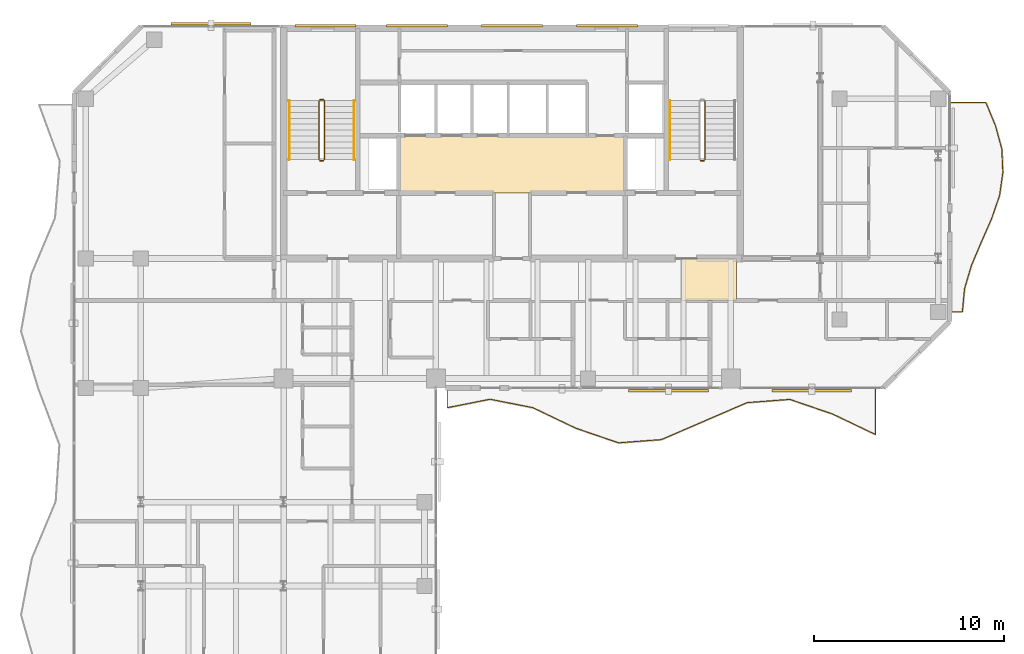
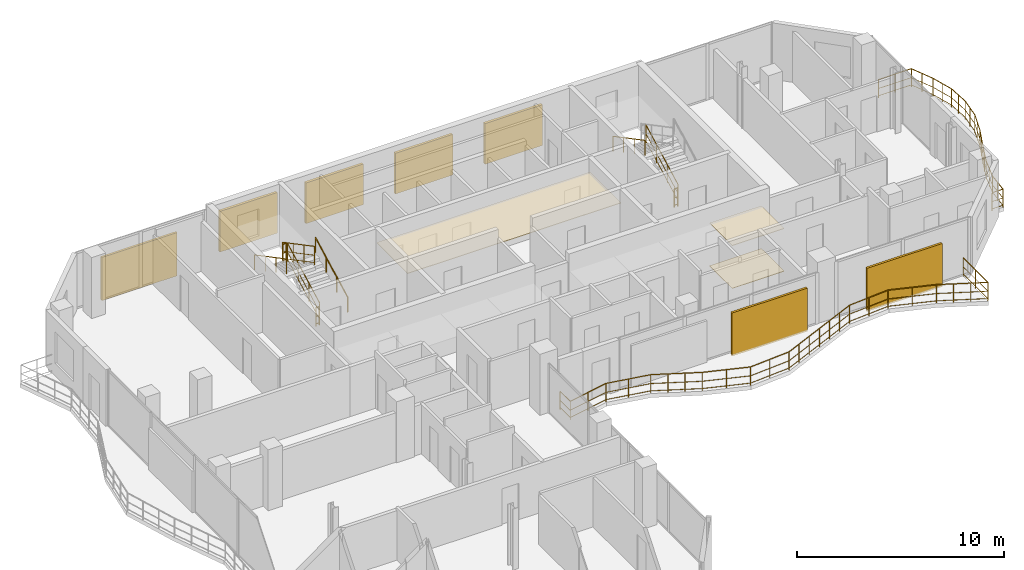
# One storey, part 22 of 23: 11 railings, 7 shading devices, 3 coverings.
"""IFC4 building model written with IfcOpenShell, lengths in metres."""

from ifc_helpers import new_model, si_unit, direction, frame, origin, origin_2d, place, context, subcontext, project, spatial, polyline, rectangle, circle, outline, extrude, material, layer, layer_set, type_object, element, save


model = new_model("IFC4")

# Units and contexts
model_context = context("Model", 3, precision=1e-05, world=origin(), true_north=direction((0.0, 1.0)))
body_context = subcontext(model_context, "Body", "Model", "MODEL_VIEW")
ifc_project = project(units=[si_unit("LENGTHUNIT", "METRE"), si_unit("AREAUNIT", "SQUARE_METRE"), si_unit("VOLUMEUNIT", "CUBIC_METRE"), si_unit("PLANEANGLEUNIT", "RADIAN"), si_unit("MASSUNIT", "GRAM", prefix="KILO")], contexts=[model_context])

# Site, building, storey
site_placement = place(None, origin())
site = spatial("IfcSite", under=ifc_project, at=site_placement, CompositionType="ELEMENT")
building_placement = place(site_placement, origin())
building = spatial("IfcBuilding", under=site, at=building_placement, Name="Catumbela Crestline Tower", CompositionType="ELEMENT")
storey_placement = place(building_placement, frame((0.0, 0.0, 175.8)))
storey = spatial("IfcBuildingStorey", under=building, at=storey_placement, Name="L45", CompositionType="ELEMENT", Elevation=175.8)

# Coverings
ifc_material_1 = material(Name="Mineral-fibre acoustic ceiling")
ifc_layer_1 = layer(ifc_material_1, 0.03, Name="Mineral-fibre acoustic ceiling")
ifc_layer_set_1 = layer_set([ifc_layer_1], Name="Mineral-fibre acoustic ceiling")
covering_type_1 = type_object("IfcCoveringType", Name="CC-AC", PredefinedType="CEILING", material=ifc_layer_set_1)
covering_1_placement = place(storey_placement, frame((0.0, 0.0, 2.65)))
element("IfcCovering", 1, at=covering_1_placement, inside=storey, type_object=covering_type_1, Name="L45 Lift Lobby Acoustic Ceiling", PredefinedType="CEILING", context=body_context, shape_type="SweptSolid", body=[
    extrude(outline(polyline([(22.05, 34.25), (33.95, 34.25), (33.95, 37.25), (22.05, 37.25), (22.05, 34.25)])), origin(), (0.0, 0.0, 1.0), 0.03),
])
covering_2_placement = place(storey_placement, frame((0.0, 0.0, 2.52)))
element("IfcCovering", 2, at=covering_2_placement, inside=storey, type_object=covering_type_1, Name="L45 Corridor Acoustic Ceiling Bay 8", PredefinedType="CEILING", context=body_context, shape_type="SweptSolid", body=[
    extrude(outline(polyline([(36.9, 28.6), (39.8, 28.6), (39.8, 30.8), (36.9, 30.8), (36.9, 28.6)])), origin(), (0.0, 0.0, 1.0), 0.03),
])
ifc_material_2 = material(Name="Angolan grey-ochre granite", Category="masonry")
ifc_layer_2 = layer(ifc_material_2, 0.025, Name="Angolan grey-ochre granite")
ifc_layer_set_2 = layer_set([ifc_layer_2], Name="Angolan grey-ochre granite")
covering_type_2 = type_object("IfcCoveringType", Name="CF-GR", PredefinedType="FLOORING", material=ifc_layer_set_2)
covering_3_placement = place(storey_placement, origin())
element("IfcCovering", 3, at=covering_3_placement, inside=storey, type_object=covering_type_2, Name="L45 Corridor Granite Flooring Bay 8", PredefinedType="FLOORING", context=body_context, shape_type="SweptSolid", body=[
    extrude(outline(polyline([(36.9, 28.6), (39.8, 28.6), (39.8, 30.8), (36.9, 30.8), (36.9, 28.6)])), origin(), (0.0, 0.0, 1.0), 0.025),
])

# Railings
ifc_material_3 = material(Name="Stainless steel EN 1.4401", Category="steel")
railing_type_1 = type_object("IfcRailingType", Name="RB-1100", PredefinedType="BALUSTRADE", material=ifc_material_3)
railing_1_placement = place(storey_placement, frame((24.6, 23.94, 0.0)))
element("IfcRailing", 4, at=railing_1_placement, inside=storey, type_object=railing_type_1, Name="L45 Private Wave Balcony Balustrade 1", PredefinedType="BALUSTRADE", context=body_context, shape_type="SweptSolid", body=[
    extrude(circle(Radius=0.024, at=origin_2d()), frame((0.0, 0.0, 1.076), z_axis=(0.0, -1.0, 0.0), x_axis=(1.0, 0.0, 0.0)), (0.0, 0.0, 1.0), 0.9747),
    extrude(circle(Radius=0.0156, at=origin_2d()), frame((0.0, 0.0, 0.55), z_axis=(0.0, -1.0, 0.0), x_axis=(1.0, 0.0, 0.0)), (0.0, 0.0, 1.0), 0.9747),
    extrude(circle(Radius=0.0156, at=origin_2d()), frame((0.0, 0.0, 0.12), z_axis=(0.0, -1.0, 0.0), x_axis=(1.0, 0.0, 0.0)), (0.0, 0.0, 1.0), 0.9747),
    extrude(circle(Radius=0.024, at=origin_2d()), frame((0.0, -0.9747, 1.076), z_axis=(0.981022553047, 0.193893657484, 0.0), x_axis=(-0.193893657484, 0.981022553047, 0.0)), (0.0, 0.0, 1.0), 2.2935),
    extrude(circle(Radius=0.0156, at=origin_2d()), frame((0.0, -0.9747, 0.55), z_axis=(0.981022553047, 0.193893657484, 0.0), x_axis=(-0.193893657484, 0.981022553047, 0.0)), (0.0, 0.0, 1.0), 2.2935),
    extrude(circle(Radius=0.0156, at=origin_2d()), frame((0.0, -0.9747, 0.12), z_axis=(0.981022553047, 0.193893657484, 0.0), x_axis=(-0.193893657484, 0.981022553047, 0.0)), (0.0, 0.0, 1.0), 2.2935),
    extrude(circle(Radius=0.024, at=origin_2d()), frame((2.25, -0.53, 1.076), z_axis=(0.981022553047, -0.193893657484, 0.0), x_axis=(0.193893657484, 0.981022553047, 0.0)), (0.0, 0.0, 1.0), 2.2935),
    extrude(circle(Radius=0.0156, at=origin_2d()), frame((2.25, -0.53, 0.55), z_axis=(0.981022553047, -0.193893657484, 0.0), x_axis=(0.193893657484, 0.981022553047, 0.0)), (0.0, 0.0, 1.0), 2.2935),
    extrude(circle(Radius=0.0156, at=origin_2d()), frame((2.25, -0.53, 0.12), z_axis=(0.981022553047, -0.193893657484, 0.0), x_axis=(0.193893657484, 0.981022553047, 0.0)), (0.0, 0.0, 1.0), 2.2935),
    extrude(circle(Radius=0.024, at=origin_2d()), frame((4.5, -0.9747, 1.076), z_axis=(0.902132186045, -0.431459753513, 0.0), x_axis=(0.431459753513, 0.902132186045, 0.0)), (0.0, 0.0, 1.0), 2.4941),
    extrude(circle(Radius=0.0156, at=origin_2d()), frame((4.5, -0.9747, 0.55), z_axis=(0.902132186045, -0.431459753513, 0.0), x_axis=(0.431459753513, 0.902132186045, 0.0)), (0.0, 0.0, 1.0), 2.4941),
    extrude(circle(Radius=0.0156, at=origin_2d()), frame((4.5, -0.9747, 0.12), z_axis=(0.902132186045, -0.431459753513, 0.0), x_axis=(0.431459753513, 0.902132186045, 0.0)), (0.0, 0.0, 1.0), 2.4941),
    extrude(circle(Radius=0.024, at=origin_2d()), frame((6.75, -2.0508, 1.076), z_axis=(0.946065665735, -0.323974931311, 0.0), x_axis=(0.323974931311, 0.946065665735, 0.0)), (0.0, 0.0, 1.0), 2.3783),
    extrude(circle(Radius=0.0156, at=origin_2d()), frame((6.75, -2.0508, 0.55), z_axis=(0.946065665735, -0.323974931311, 0.0), x_axis=(0.323974931311, 0.946065665735, 0.0)), (0.0, 0.0, 1.0), 2.3783),
    extrude(circle(Radius=0.0156, at=origin_2d()), frame((6.75, -2.0508, 0.12), z_axis=(0.946065665735, -0.323974931311, 0.0), x_axis=(0.323974931311, 0.946065665735, 0.0)), (0.0, 0.0, 1.0), 2.3783),
    extrude(circle(Radius=0.024, at=origin_2d()), frame((9.0, -2.8213, 1.076), z_axis=(0.997141170455, 0.075561142028, 0.0), x_axis=(-0.075561142028, 0.997141170455, 0.0)), (0.0, 0.0, 1.0), 2.2565),
    extrude(circle(Radius=0.0156, at=origin_2d()), frame((9.0, -2.8213, 0.55), z_axis=(0.997141170455, 0.075561142028, 0.0), x_axis=(-0.075561142028, 0.997141170455, 0.0)), (0.0, 0.0, 1.0), 2.2565),
    extrude(circle(Radius=0.0156, at=origin_2d()), frame((9.0, -2.8213, 0.12), z_axis=(0.997141170455, 0.075561142028, 0.0), x_axis=(-0.075561142028, 0.997141170455, 0.0)), (0.0, 0.0, 1.0), 2.2565),
    extrude(circle(Radius=0.024, at=origin_2d()), frame((11.25, -2.6508, 1.076), z_axis=(0.918179780553, 0.396163969316, 0.0), x_axis=(-0.396163969316, 0.918179780553, 0.0)), (0.0, 0.0, 1.0), 2.4505),
    extrude(circle(Radius=0.0156, at=origin_2d()), frame((11.25, -2.6508, 0.55), z_axis=(0.918179780553, 0.396163969316, 0.0), x_axis=(-0.396163969316, 0.918179780553, 0.0)), (0.0, 0.0, 1.0), 2.4505),
    extrude(circle(Radius=0.0156, at=origin_2d()), frame((11.25, -2.6508, 0.12), z_axis=(0.918179780553, 0.396163969316, 0.0), x_axis=(-0.396163969316, 0.918179780553, 0.0)), (0.0, 0.0, 1.0), 2.4505),
    extrude(circle(Radius=0.024, at=origin_2d()), frame((13.5, -1.68, 1.076), z_axis=(0.918179780553, 0.396163969316, 0.0), x_axis=(-0.396163969316, 0.918179780553, 0.0)), (0.0, 0.0, 1.0), 2.4505),
    extrude(circle(Radius=0.0156, at=origin_2d()), frame((13.5, -1.68, 0.55), z_axis=(0.918179780553, 0.396163969316, 0.0), x_axis=(-0.396163969316, 0.918179780553, 0.0)), (0.0, 0.0, 1.0), 2.4505),
    extrude(circle(Radius=0.0156, at=origin_2d()), frame((13.5, -1.68, 0.12), z_axis=(0.918179780553, 0.396163969316, 0.0), x_axis=(-0.396163969316, 0.918179780553, 0.0)), (0.0, 0.0, 1.0), 2.4505),
    extrude(circle(Radius=0.024, at=origin_2d()), frame((15.75, -0.7092, 1.076), z_axis=(0.997141170455, 0.075561142028, 0.0), x_axis=(-0.075561142028, 0.997141170455, 0.0)), (0.0, 0.0, 1.0), 2.2565),
    extrude(circle(Radius=0.0156, at=origin_2d()), frame((15.75, -0.7092, 0.55), z_axis=(0.997141170455, 0.075561142028, 0.0), x_axis=(-0.075561142028, 0.997141170455, 0.0)), (0.0, 0.0, 1.0), 2.2565),
    extrude(circle(Radius=0.0156, at=origin_2d()), frame((15.75, -0.7092, 0.12), z_axis=(0.997141170455, 0.075561142028, 0.0), x_axis=(-0.075561142028, 0.997141170455, 0.0)), (0.0, 0.0, 1.0), 2.2565),
    extrude(circle(Radius=0.024, at=origin_2d()), frame((18.0, -0.5387, 1.076), z_axis=(0.946065665735, -0.323974931311, 0.0), x_axis=(0.323974931311, 0.946065665735, 0.0)), (0.0, 0.0, 1.0), 2.3783),
    extrude(circle(Radius=0.0156, at=origin_2d()), frame((18.0, -0.5387, 0.55), z_axis=(0.946065665735, -0.323974931311, 0.0), x_axis=(0.323974931311, 0.946065665735, 0.0)), (0.0, 0.0, 1.0), 2.3783),
    extrude(circle(Radius=0.0156, at=origin_2d()), frame((18.0, -0.5387, 0.12), z_axis=(0.946065665735, -0.323974931311, 0.0), x_axis=(0.323974931311, 0.946065665735, 0.0)), (0.0, 0.0, 1.0), 2.3783),
    extrude(circle(Radius=0.024, at=origin_2d()), frame((20.25, -1.3092, 1.076), z_axis=(0.902132186045, -0.431459753513, 0.0), x_axis=(0.431459753513, 0.902132186045, 0.0)), (0.0, 0.0, 1.0), 2.4941),
    extrude(circle(Radius=0.0156, at=origin_2d()), frame((20.25, -1.3092, 0.55), z_axis=(0.902132186045, -0.431459753513, 0.0), x_axis=(0.431459753513, 0.902132186045, 0.0)), (0.0, 0.0, 1.0), 2.4941),
    extrude(circle(Radius=0.0156, at=origin_2d()), frame((20.25, -1.3092, 0.12), z_axis=(0.902132186045, -0.431459753513, 0.0), x_axis=(0.431459753513, 0.902132186045, 0.0)), (0.0, 0.0, 1.0), 2.4941),
    extrude(circle(Radius=0.024, at=origin_2d()), frame((22.5, -2.3853, 1.076), z_axis=(0.0, 1.0, 0.0), x_axis=(-1.0, 0.0, 0.0)), (0.0, 0.0, 1.0), 2.3853),
    extrude(circle(Radius=0.0156, at=origin_2d()), frame((22.5, -2.3853, 0.55), z_axis=(0.0, 1.0, 0.0), x_axis=(-1.0, 0.0, 0.0)), (0.0, 0.0, 1.0), 2.3853),
    extrude(circle(Radius=0.0156, at=origin_2d()), frame((22.5, -2.3853, 0.12), z_axis=(0.0, 1.0, 0.0), x_axis=(-1.0, 0.0, 0.0)), (0.0, 0.0, 1.0), 2.3853),
    extrude(circle(Radius=0.021, at=origin_2d()), origin(), (0.0, 0.0, 1.0), 1.052),
    extrude(circle(Radius=0.021, at=origin_2d()), frame((0.0, -0.9747, 0.0)), (0.0, 0.0, 1.0), 1.052),
    extrude(circle(Radius=0.021, at=origin_2d()), frame((1.125, -0.7524, 0.0)), (0.0, 0.0, 1.0), 1.052),
    extrude(circle(Radius=0.021, at=origin_2d()), frame((2.25, -0.53, 0.0)), (0.0, 0.0, 1.0), 1.052),
    extrude(circle(Radius=0.021, at=origin_2d()), frame((3.375, -0.7524, 0.0)), (0.0, 0.0, 1.0), 1.052),
    extrude(circle(Radius=0.021, at=origin_2d()), frame((4.5, -0.9747, 0.0)), (0.0, 0.0, 1.0), 1.052),
    extrude(circle(Radius=0.021, at=origin_2d()), frame((5.25, -1.3334, 0.0)), (0.0, 0.0, 1.0), 1.052),
    extrude(circle(Radius=0.021, at=origin_2d()), frame((6.0, -1.6921, 0.0)), (0.0, 0.0, 1.0), 1.052),
    extrude(circle(Radius=0.021, at=origin_2d()), frame((6.75, -2.0508, 0.0)), (0.0, 0.0, 1.0), 1.052),
    extrude(circle(Radius=0.021, at=origin_2d()), frame((7.875, -2.4361, 0.0)), (0.0, 0.0, 1.0), 1.052),
    extrude(circle(Radius=0.021, at=origin_2d()), frame((9.0, -2.8213, 0.0)), (0.0, 0.0, 1.0), 1.052),
    extrude(circle(Radius=0.021, at=origin_2d()), frame((10.125, -2.7361, 0.0)), (0.0, 0.0, 1.0), 1.052),
    extrude(circle(Radius=0.021, at=origin_2d()), frame((11.25, -2.6508, 0.0)), (0.0, 0.0, 1.0), 1.052),
    extrude(circle(Radius=0.021, at=origin_2d()), frame((12.0, -2.3272, 0.0)), (0.0, 0.0, 1.0), 1.052),
    extrude(circle(Radius=0.021, at=origin_2d()), frame((12.75, -2.0036, 0.0)), (0.0, 0.0, 1.0), 1.052),
    extrude(circle(Radius=0.021, at=origin_2d()), frame((13.5, -1.68, 0.0)), (0.0, 0.0, 1.0), 1.052),
    extrude(circle(Radius=0.021, at=origin_2d()), frame((14.25, -1.3564, 0.0)), (0.0, 0.0, 1.0), 1.052),
    extrude(circle(Radius=0.021, at=origin_2d()), frame((15.0, -1.0328, 0.0)), (0.0, 0.0, 1.0), 1.052),
    extrude(circle(Radius=0.021, at=origin_2d()), frame((15.75, -0.7092, 0.0)), (0.0, 0.0, 1.0), 1.052),
    extrude(circle(Radius=0.021, at=origin_2d()), frame((16.875, -0.624, 0.0)), (0.0, 0.0, 1.0), 1.052),
    extrude(circle(Radius=0.021, at=origin_2d()), frame((18.0, -0.5387, 0.0)), (0.0, 0.0, 1.0), 1.052),
    extrude(circle(Radius=0.021, at=origin_2d()), frame((19.125, -0.924, 0.0)), (0.0, 0.0, 1.0), 1.052),
    extrude(circle(Radius=0.021, at=origin_2d()), frame((20.25, -1.3092, 0.0)), (0.0, 0.0, 1.0), 1.052),
    extrude(circle(Radius=0.021, at=origin_2d()), frame((21.0, -1.6679, 0.0)), (0.0, 0.0, 1.0), 1.052),
    extrude(circle(Radius=0.021, at=origin_2d()), frame((21.75, -2.0266, 0.0)), (0.0, 0.0, 1.0), 1.052),
    extrude(circle(Radius=0.021, at=origin_2d()), frame((22.5, -2.3853, 0.0)), (0.0, 0.0, 1.0), 1.052),
    extrude(circle(Radius=0.021, at=origin_2d()), frame((22.5, -1.1927, 0.0)), (0.0, 0.0, 1.0), 1.052),
    extrude(circle(Radius=0.021, at=origin_2d()), frame((22.5, 0.0, 0.0)), (0.0, 0.0, 1.0), 1.052),
])
railing_2_placement = place(storey_placement, frame((51.06, 28.0, 0.0)))
element("IfcRailing", 5, at=railing_2_placement, inside=storey, type_object=railing_type_1, Name="L45 Private Wave Balcony Balustrade 2", PredefinedType="BALUSTRADE", context=body_context, shape_type="SweptSolid", body=[
    extrude(circle(Radius=0.024, at=origin_2d()), frame((0.0, 0.0, 1.076), z_axis=(1.0, 0.0, 0.0), x_axis=(0.0, 1.0, 0.0)), (0.0, 0.0, 1.0), 0.601),
    extrude(circle(Radius=0.0156, at=origin_2d()), frame((0.0, 0.0, 0.55), z_axis=(1.0, 0.0, 0.0), x_axis=(0.0, 1.0, 0.0)), (0.0, 0.0, 1.0), 0.601),
    extrude(circle(Radius=0.0156, at=origin_2d()), frame((0.0, 0.0, 0.12), z_axis=(1.0, 0.0, 0.0), x_axis=(0.0, 1.0, 0.0)), (0.0, 0.0, 1.0), 0.601),
    extrude(circle(Radius=0.024, at=origin_2d()), frame((0.601, 0.0, 1.076), z_axis=(0.094405474456, 0.995533829858, 0.0), x_axis=(-0.995533829858, 0.094405474456, 0.0)), (0.0, 0.0, 1.0), 1.2277),
    extrude(circle(Radius=0.0156, at=origin_2d()), frame((0.601, 0.0, 0.55), z_axis=(0.094405474456, 0.995533829858, 0.0), x_axis=(-0.995533829858, 0.094405474456, 0.0)), (0.0, 0.0, 1.0), 1.2277),
    extrude(circle(Radius=0.0156, at=origin_2d()), frame((0.601, 0.0, 0.12), z_axis=(0.094405474456, 0.995533829858, 0.0), x_axis=(-0.995533829858, 0.094405474456, 0.0)), (0.0, 0.0, 1.0), 1.2277),
    extrude(circle(Radius=0.024, at=origin_2d()), frame((0.7169, 1.2222, 1.076), z_axis=(0.284569004253, 0.95865555953, 0.0), x_axis=(-0.95865555953, 0.284569004253, 0.0)), (0.0, 0.0, 1.0), 1.2749),
    extrude(circle(Radius=0.0156, at=origin_2d()), frame((0.7169, 1.2222, 0.55), z_axis=(0.284569004253, 0.95865555953, 0.0), x_axis=(-0.95865555953, 0.284569004253, 0.0)), (0.0, 0.0, 1.0), 1.2749),
    extrude(circle(Radius=0.0156, at=origin_2d()), frame((0.7169, 1.2222, 0.12), z_axis=(0.284569004253, 0.95865555953, 0.0), x_axis=(-0.95865555953, 0.284569004253, 0.0)), (0.0, 0.0, 1.0), 1.2749),
    extrude(circle(Radius=0.024, at=origin_2d()), frame((1.0797, 2.4444, 1.076), z_axis=(0.389431030988, 0.921055629212, 0.0), x_axis=(-0.921055629212, 0.389431030988, 0.0)), (0.0, 0.0, 1.0), 1.3271),
    extrude(circle(Radius=0.0156, at=origin_2d()), frame((1.0797, 2.4444, 0.55), z_axis=(0.389431030988, 0.921055629212, 0.0), x_axis=(-0.921055629212, 0.389431030988, 0.0)), (0.0, 0.0, 1.0), 1.3271),
    extrude(circle(Radius=0.0156, at=origin_2d()), frame((1.0797, 2.4444, 0.12), z_axis=(0.389431030988, 0.921055629212, 0.0), x_axis=(-0.921055629212, 0.389431030988, 0.0)), (0.0, 0.0, 1.0), 1.3271),
    extrude(circle(Radius=0.024, at=origin_2d()), frame((1.5965, 3.6667, 1.076), z_axis=(0.403009613684, 0.915195744788, 0.0), x_axis=(-0.915195744788, 0.403009613684, 0.0)), (0.0, 0.0, 1.0), 1.3355),
    extrude(circle(Radius=0.0156, at=origin_2d()), frame((1.5965, 3.6667, 0.55), z_axis=(0.403009613684, 0.915195744788, 0.0), x_axis=(-0.915195744788, 0.403009613684, 0.0)), (0.0, 0.0, 1.0), 1.3355),
    extrude(circle(Radius=0.0156, at=origin_2d()), frame((1.5965, 3.6667, 0.12), z_axis=(0.403009613684, 0.915195744788, 0.0), x_axis=(-0.915195744788, 0.403009613684, 0.0)), (0.0, 0.0, 1.0), 1.3355),
    extrude(circle(Radius=0.024, at=origin_2d()), frame((2.1347, 4.8889, 1.076), z_axis=(0.326095564371, 0.945336809237, 0.0), x_axis=(-0.945336809237, 0.326095564371, 0.0)), (0.0, 0.0, 1.0), 1.2929),
    extrude(circle(Radius=0.0156, at=origin_2d()), frame((2.1347, 4.8889, 0.55), z_axis=(0.326095564371, 0.945336809237, 0.0), x_axis=(-0.945336809237, 0.326095564371, 0.0)), (0.0, 0.0, 1.0), 1.2929),
    extrude(circle(Radius=0.0156, at=origin_2d()), frame((2.1347, 4.8889, 0.12), z_axis=(0.326095564371, 0.945336809237, 0.0), x_axis=(-0.945336809237, 0.326095564371, 0.0)), (0.0, 0.0, 1.0), 1.2929),
    extrude(circle(Radius=0.024, at=origin_2d()), frame((2.5563, 6.1111, 1.076), z_axis=(0.140706849393, 0.990051302981, 0.0), x_axis=(-0.990051302981, 0.140706849393, 0.0)), (0.0, 0.0, 1.0), 1.2345),
    extrude(circle(Radius=0.0156, at=origin_2d()), frame((2.5563, 6.1111, 0.55), z_axis=(0.140706849393, 0.990051302981, 0.0), x_axis=(-0.990051302981, 0.140706849393, 0.0)), (0.0, 0.0, 1.0), 1.2345),
    extrude(circle(Radius=0.0156, at=origin_2d()), frame((2.5563, 6.1111, 0.12), z_axis=(0.140706849393, 0.990051302981, 0.0), x_axis=(-0.990051302981, 0.140706849393, 0.0)), (0.0, 0.0, 1.0), 1.2345),
    extrude(circle(Radius=0.024, at=origin_2d()), frame((2.73, 7.3333, 1.076), z_axis=(-0.04503321648, 0.998985490092, 0.0), x_axis=(-0.998985490092, -0.04503321648, 0.0)), (0.0, 0.0, 1.0), 1.2235),
    extrude(circle(Radius=0.0156, at=origin_2d()), frame((2.73, 7.3333, 0.55), z_axis=(-0.04503321648, 0.998985490092, 0.0), x_axis=(-0.998985490092, -0.04503321648, 0.0)), (0.0, 0.0, 1.0), 1.2235),
    extrude(circle(Radius=0.0156, at=origin_2d()), frame((2.73, 7.3333, 0.12), z_axis=(-0.04503321648, 0.998985490092, 0.0), x_axis=(-0.998985490092, -0.04503321648, 0.0)), (0.0, 0.0, 1.0), 1.2235),
    extrude(circle(Radius=0.024, at=origin_2d()), frame((2.6749, 8.5556, 1.076), z_axis=(-0.263244304818, 0.964729203446, 0.0), x_axis=(-0.964729203446, -0.263244304818, 0.0)), (0.0, 0.0, 1.0), 1.2669),
    extrude(circle(Radius=0.0156, at=origin_2d()), frame((2.6749, 8.5556, 0.55), z_axis=(-0.263244304818, 0.964729203446, 0.0), x_axis=(-0.964729203446, -0.263244304818, 0.0)), (0.0, 0.0, 1.0), 1.2669),
    extrude(circle(Radius=0.0156, at=origin_2d()), frame((2.6749, 8.5556, 0.12), z_axis=(-0.263244304818, 0.964729203446, 0.0), x_axis=(-0.964729203446, -0.263244304818, 0.0)), (0.0, 0.0, 1.0), 1.2669),
    extrude(circle(Radius=0.024, at=origin_2d()), frame((2.3414, 9.7778, 1.076), z_axis=(-0.380582356564, 0.924747030204, 0.0), x_axis=(-0.924747030204, -0.380582356564, 0.0)), (0.0, 0.0, 1.0), 1.3217),
    extrude(circle(Radius=0.0156, at=origin_2d()), frame((2.3414, 9.7778, 0.55), z_axis=(-0.380582356564, 0.924747030204, 0.0), x_axis=(-0.924747030204, -0.380582356564, 0.0)), (0.0, 0.0, 1.0), 1.3217),
    extrude(circle(Radius=0.0156, at=origin_2d()), frame((2.3414, 9.7778, 0.12), z_axis=(-0.380582356564, 0.924747030204, 0.0), x_axis=(-0.924747030204, -0.380582356564, 0.0)), (0.0, 0.0, 1.0), 1.3217),
    extrude(circle(Radius=0.024, at=origin_2d()), frame((1.8384, 11.0, 1.076), z_axis=(-1.0, 0.0, 0.0), x_axis=(0.0, -1.0, 0.0)), (0.0, 0.0, 1.0), 1.8384),
    extrude(circle(Radius=0.0156, at=origin_2d()), frame((1.8384, 11.0, 0.55), z_axis=(-1.0, 0.0, 0.0), x_axis=(0.0, -1.0, 0.0)), (0.0, 0.0, 1.0), 1.8384),
    extrude(circle(Radius=0.0156, at=origin_2d()), frame((1.8384, 11.0, 0.12), z_axis=(-1.0, 0.0, 0.0), x_axis=(0.0, -1.0, 0.0)), (0.0, 0.0, 1.0), 1.8384),
    extrude(circle(Radius=0.021, at=origin_2d()), origin(), (0.0, 0.0, 1.0), 1.052),
    extrude(circle(Radius=0.021, at=origin_2d()), frame((0.601, 0.0, 0.0)), (0.0, 0.0, 1.0), 1.052),
    extrude(circle(Radius=0.021, at=origin_2d()), frame((0.6589, 0.6111, 0.0)), (0.0, 0.0, 1.0), 1.052),
    extrude(circle(Radius=0.021, at=origin_2d()), frame((0.7169, 1.2222, 0.0)), (0.0, 0.0, 1.0), 1.052),
    extrude(circle(Radius=0.021, at=origin_2d()), frame((0.8983, 1.8333, 0.0)), (0.0, 0.0, 1.0), 1.052),
    extrude(circle(Radius=0.021, at=origin_2d()), frame((1.0797, 2.4444, 0.0)), (0.0, 0.0, 1.0), 1.052),
    extrude(circle(Radius=0.021, at=origin_2d()), frame((1.3381, 3.0556, 0.0)), (0.0, 0.0, 1.0), 1.052),
    extrude(circle(Radius=0.021, at=origin_2d()), frame((1.5965, 3.6667, 0.0)), (0.0, 0.0, 1.0), 1.052),
    extrude(circle(Radius=0.021, at=origin_2d()), frame((1.8656, 4.2778, 0.0)), (0.0, 0.0, 1.0), 1.052),
    extrude(circle(Radius=0.021, at=origin_2d()), frame((2.1347, 4.8889, 0.0)), (0.0, 0.0, 1.0), 1.052),
    extrude(circle(Radius=0.021, at=origin_2d()), frame((2.3455, 5.5, 0.0)), (0.0, 0.0, 1.0), 1.052),
    extrude(circle(Radius=0.021, at=origin_2d()), frame((2.5563, 6.1111, 0.0)), (0.0, 0.0, 1.0), 1.052),
    extrude(circle(Radius=0.021, at=origin_2d()), frame((2.6431, 6.7222, 0.0)), (0.0, 0.0, 1.0), 1.052),
    extrude(circle(Radius=0.021, at=origin_2d()), frame((2.73, 7.3333, 0.0)), (0.0, 0.0, 1.0), 1.052),
    extrude(circle(Radius=0.021, at=origin_2d()), frame((2.7024, 7.9444, 0.0)), (0.0, 0.0, 1.0), 1.052),
    extrude(circle(Radius=0.021, at=origin_2d()), frame((2.6749, 8.5556, 0.0)), (0.0, 0.0, 1.0), 1.052),
    extrude(circle(Radius=0.021, at=origin_2d()), frame((2.5082, 9.1667, 0.0)), (0.0, 0.0, 1.0), 1.052),
    extrude(circle(Radius=0.021, at=origin_2d()), frame((2.3414, 9.7778, 0.0)), (0.0, 0.0, 1.0), 1.052),
    extrude(circle(Radius=0.021, at=origin_2d()), frame((2.0899, 10.3889, 0.0)), (0.0, 0.0, 1.0), 1.052),
    extrude(circle(Radius=0.021, at=origin_2d()), frame((1.8384, 11.0, 0.0)), (0.0, 0.0, 1.0), 1.052),
    extrude(circle(Radius=0.021, at=origin_2d()), frame((0.9192, 11.0, 0.0)), (0.0, 0.0, 1.0), 1.052),
    extrude(circle(Radius=0.021, at=origin_2d()), frame((0.0, 11.0, 0.0)), (0.0, 0.0, 1.0), 1.052),
])
railing_type_2 = type_object("IfcRailingType", Name="RG-1100", PredefinedType="GUARDRAIL", material=ifc_material_3)
railing_3_placement = place(storey_placement, frame((18.14, 36.0, 0.1636)))
element("IfcRailing", 6, at=railing_3_placement, inside=storey, type_object=railing_type_2, Name="L45 ST-01 stair guard 1", PredefinedType="GUARDRAIL", context=body_context, shape_type="SweptSolid", body=[
    extrude(circle(Radius=0.024, at=origin_2d()), frame((0.0, 0.0, 1.076), z_axis=(0.0, 0.884350731049, 0.466823076222), x_axis=(-1.0, 0.0, 0.0)), (0.0, 0.0, 1.0), 3.5054),
    extrude(circle(Radius=0.0156, at=origin_2d()), frame((0.0, 0.0, 0.55), z_axis=(0.0, 0.884350731049, 0.466823076222), x_axis=(-1.0, 0.0, 0.0)), (0.0, 0.0, 1.0), 3.5054),
    extrude(circle(Radius=0.0156, at=origin_2d()), frame((0.0, 0.0, 0.12), z_axis=(0.0, 0.884350731049, 0.466823076222), x_axis=(-1.0, 0.0, 0.0)), (0.0, 0.0, 1.0), 3.5054),
    extrude(circle(Radius=0.021, at=origin_2d()), origin(), (0.0, 0.0, 1.0), 1.052),
    extrude(circle(Radius=0.021, at=origin_2d()), frame((0.0, 1.0333, 0.5455)), (0.0, 0.0, 1.0), 1.052),
    extrude(circle(Radius=0.021, at=origin_2d()), frame((0.0, 2.0667, 1.0909)), (0.0, 0.0, 1.0), 1.052),
    extrude(circle(Radius=0.021, at=origin_2d()), frame((0.0, 3.1, 1.6364)), (0.0, 0.0, 1.0), 1.052),
])
railing_4_placement = place(storey_placement, frame((18.09, 39.15, 1.8)))
element("IfcRailing", 7, at=railing_4_placement, inside=storey, type_object=railing_type_2, Name="L45 ST-01 stair guard 2", PredefinedType="GUARDRAIL", context=body_context, shape_type="SweptSolid", body=[
    extrude(circle(Radius=0.024, at=origin_2d()), frame((0.0, 0.0, 1.076), z_axis=(-1.0, 0.0, 0.0), x_axis=(0.0, -1.0, 0.0)), (0.0, 0.0, 1.0), 0.18),
    extrude(circle(Radius=0.0156, at=origin_2d()), frame((0.0, 0.0, 0.55), z_axis=(-1.0, 0.0, 0.0), x_axis=(0.0, -1.0, 0.0)), (0.0, 0.0, 1.0), 0.18),
    extrude(circle(Radius=0.0156, at=origin_2d()), frame((0.0, 0.0, 0.12), z_axis=(-1.0, 0.0, 0.0), x_axis=(0.0, -1.0, 0.0)), (0.0, 0.0, 1.0), 0.18),
    extrude(circle(Radius=0.021, at=origin_2d()), origin(), (0.0, 0.0, 1.0), 1.052),
    extrude(circle(Radius=0.021, at=origin_2d()), frame((-0.18, 0.0, 0.0)), (0.0, 0.0, 1.0), 1.052),
])
railing_5_placement = place(storey_placement, frame((17.86, 39.1, 1.9636)))
element("IfcRailing", 8, at=railing_5_placement, inside=storey, type_object=railing_type_2, Name="L45 ST-01 stair guard 3", PredefinedType="GUARDRAIL", context=body_context, shape_type="SweptSolid", body=[
    extrude(circle(Radius=0.024, at=origin_2d()), frame((0.0, 0.0, 1.076), z_axis=(0.0, -0.884350731049, 0.466823076222), x_axis=(1.0, 0.0, 0.0)), (0.0, 0.0, 1.0), 3.5054),
    extrude(circle(Radius=0.0156, at=origin_2d()), frame((0.0, 0.0, 0.55), z_axis=(0.0, -0.884350731049, 0.466823076222), x_axis=(1.0, 0.0, 0.0)), (0.0, 0.0, 1.0), 3.5054),
    extrude(circle(Radius=0.0156, at=origin_2d()), frame((0.0, 0.0, 0.12), z_axis=(0.0, -0.884350731049, 0.466823076222), x_axis=(1.0, 0.0, 0.0)), (0.0, 0.0, 1.0), 3.5054),
    extrude(circle(Radius=0.021, at=origin_2d()), origin(), (0.0, 0.0, 1.0), 1.052),
    extrude(circle(Radius=0.021, at=origin_2d()), frame((0.0, -1.0333, 0.5455)), (0.0, 0.0, 1.0), 1.052),
    extrude(circle(Radius=0.021, at=origin_2d()), frame((0.0, -2.0667, 1.0909)), (0.0, 0.0, 1.0), 1.052),
    extrude(circle(Radius=0.021, at=origin_2d()), frame((0.0, -3.1, 1.6364)), (0.0, 0.0, 1.0), 1.052),
])
railing_6_placement = place(storey_placement, frame((18.09, 35.95, 0.0)))
element("IfcRailing", 9, at=railing_6_placement, inside=storey, type_object=railing_type_2, Name="L45 ST-01 stair guard 4", PredefinedType="GUARDRAIL", context=body_context, shape_type="SweptSolid", body=[
    extrude(circle(Radius=0.024, at=origin_2d()), frame((0.0, 0.0, 1.076), z_axis=(-1.0, 0.0, 0.0), x_axis=(0.0, -1.0, 0.0)), (0.0, 0.0, 1.0), 0.18),
    extrude(circle(Radius=0.0156, at=origin_2d()), frame((0.0, 0.0, 0.55), z_axis=(-1.0, 0.0, 0.0), x_axis=(0.0, -1.0, 0.0)), (0.0, 0.0, 1.0), 0.18),
    extrude(circle(Radius=0.0156, at=origin_2d()), frame((0.0, 0.0, 0.12), z_axis=(-1.0, 0.0, 0.0), x_axis=(0.0, -1.0, 0.0)), (0.0, 0.0, 1.0), 0.18),
    extrude(circle(Radius=0.021, at=origin_2d()), origin(), (0.0, 0.0, 1.0), 1.052),
    extrude(circle(Radius=0.021, at=origin_2d()), frame((-0.18, 0.0, 0.0)), (0.0, 0.0, 1.0), 1.052),
])
railing_7_placement = place(storey_placement, frame((38.14, 36.0, 0.1636)))
element("IfcRailing", 10, at=railing_7_placement, inside=storey, type_object=railing_type_2, Name="L45 ST-02 stair guard 1", PredefinedType="GUARDRAIL", context=body_context, shape_type="SweptSolid", body=[
    extrude(circle(Radius=0.024, at=origin_2d()), frame((0.0, 0.0, 1.076), z_axis=(0.0, 0.884350731049, 0.466823076222), x_axis=(-1.0, 0.0, 0.0)), (0.0, 0.0, 1.0), 3.5054),
    extrude(circle(Radius=0.0156, at=origin_2d()), frame((0.0, 0.0, 0.55), z_axis=(0.0, 0.884350731049, 0.466823076222), x_axis=(-1.0, 0.0, 0.0)), (0.0, 0.0, 1.0), 3.5054),
    extrude(circle(Radius=0.0156, at=origin_2d()), frame((0.0, 0.0, 0.12), z_axis=(0.0, 0.884350731049, 0.466823076222), x_axis=(-1.0, 0.0, 0.0)), (0.0, 0.0, 1.0), 3.5054),
    extrude(circle(Radius=0.021, at=origin_2d()), origin(), (0.0, 0.0, 1.0), 1.052),
    extrude(circle(Radius=0.021, at=origin_2d()), frame((0.0, 1.0333, 0.5455)), (0.0, 0.0, 1.0), 1.052),
    extrude(circle(Radius=0.021, at=origin_2d()), frame((0.0, 2.0667, 1.0909)), (0.0, 0.0, 1.0), 1.052),
    extrude(circle(Radius=0.021, at=origin_2d()), frame((0.0, 3.1, 1.6364)), (0.0, 0.0, 1.0), 1.052),
])
railing_8_placement = place(storey_placement, frame((38.09, 35.95, 0.0)))
element("IfcRailing", 11, at=railing_8_placement, inside=storey, type_object=railing_type_2, Name="L45 ST-02 stair guard 4", PredefinedType="GUARDRAIL", context=body_context, shape_type="SweptSolid", body=[
    extrude(circle(Radius=0.024, at=origin_2d()), frame((0.0, 0.0, 1.076), z_axis=(-1.0, 0.0, 0.0), x_axis=(0.0, -1.0, 0.0)), (0.0, 0.0, 1.0), 0.18),
    extrude(circle(Radius=0.0156, at=origin_2d()), frame((0.0, 0.0, 0.55), z_axis=(-1.0, 0.0, 0.0), x_axis=(0.0, -1.0, 0.0)), (0.0, 0.0, 1.0), 0.18),
    extrude(circle(Radius=0.0156, at=origin_2d()), frame((0.0, 0.0, 0.12), z_axis=(-1.0, 0.0, 0.0), x_axis=(0.0, -1.0, 0.0)), (0.0, 0.0, 1.0), 0.18),
    extrude(circle(Radius=0.021, at=origin_2d()), origin(), (0.0, 0.0, 1.0), 1.052),
    extrude(circle(Radius=0.021, at=origin_2d()), frame((-0.18, 0.0, 0.0)), (0.0, 0.0, 1.0), 1.052),
])
railing_type_3 = type_object("IfcRailingType", Name="RH-0900", PredefinedType="HANDRAIL", material=ifc_material_3)
railing_9_placement = place(storey_placement, frame((19.7, 36.0, 0.1636)))
element("IfcRailing", 12, at=railing_9_placement, inside=storey, type_object=railing_type_3, Name="L45 ST-01 stair handrail 1", PredefinedType="HANDRAIL", context=body_context, shape_type="SweptSolid", body=[
    extrude(circle(Radius=0.024, at=origin_2d()), frame((0.0, 0.0, 0.876), z_axis=(0.0, 0.884350731049, 0.466823076222), x_axis=(-1.0, 0.0, 0.0)), (0.0, 0.0, 1.0), 3.5054),
    extrude(circle(Radius=0.021, at=origin_2d()), origin(), (0.0, 0.0, 1.0), 0.852),
    extrude(circle(Radius=0.021, at=origin_2d()), frame((0.0, 1.0333, 0.5455)), (0.0, 0.0, 1.0), 0.852),
    extrude(circle(Radius=0.021, at=origin_2d()), frame((0.0, 2.0667, 1.0909)), (0.0, 0.0, 1.0), 0.852),
    extrude(circle(Radius=0.021, at=origin_2d()), frame((0.0, 3.1, 1.6364)), (0.0, 0.0, 1.0), 0.852),
])
for number, where, name in (
    (13, (16.3, 39.1, 1.9636), "L45 ST-01 stair handrail 2"),
    (14, (36.3, 39.1, 1.9636), "L45 ST-02 stair handrail 2"),
):
    element("IfcRailing", number, at=place(storey_placement, frame(where)), inside=storey, type_object=railing_type_3, Name=name, PredefinedType="HANDRAIL", context=body_context, shape_type="SweptSolid", body=[
        extrude(circle(Radius=0.024, at=origin_2d()), frame((0.0, 0.0, 0.876), z_axis=(0.0, -0.884350731049, 0.466823076222), x_axis=(1.0, 0.0, 0.0)), (0.0, 0.0, 1.0), 3.5054),
        extrude(circle(Radius=0.021, at=origin_2d()), origin(), (0.0, 0.0, 1.0), 0.852),
        extrude(circle(Radius=0.021, at=origin_2d()), frame((0.0, -1.0333, 0.5455)), (0.0, 0.0, 1.0), 0.852),
        extrude(circle(Radius=0.021, at=origin_2d()), frame((0.0, -2.0667, 1.0909)), (0.0, 0.0, 1.0), 0.852),
        extrude(circle(Radius=0.021, at=origin_2d()), frame((0.0, -3.1, 1.6364)), (0.0, 0.0, 1.0), 0.852),
    ])

# Shading devices
ifc_material_4 = material(Name="Extruded terracotta ceramic", Category="masonry")
shading_device_type_1 = type_object("IfcShadingDeviceType", Name="ST-180", PredefinedType="USERDEFINED", material=ifc_material_4)
shading_device_1_placement = place(storey_placement, frame((28.0, 43.04, 0.55), z_axis=(0.0, 0.0, 1.0), x_axis=(1.0, 0.0, 0.0)))
element("IfcShadingDevice", 15, at=shading_device_1_placement, inside=storey, type_object=shading_device_type_1, Name="L45 Rear Core Terracotta Brise-Soleil Screen 509", ObjectType="SCREEN", PredefinedType="USERDEFINED", context=body_context, shape_type="SweptSolid", body=[
    extrude(rectangle(XDim=3.2, YDim=0.14, at=origin_2d()), origin(), (0.0, 0.0, 1.0), 2.4),
])
shading_device_type_2 = type_object("IfcShadingDeviceType", Name="ST-260", PredefinedType="USERDEFINED", material=ifc_material_4)
shading_device_2_placement = place(storey_placement, frame((23.0, 43.04, 0.55), z_axis=(0.0, 0.0, 1.0), x_axis=(1.0, 0.0, 0.0)))
element("IfcShadingDevice", 16, at=shading_device_2_placement, inside=storey, type_object=shading_device_type_2, Name="L45 Rear Core Terracotta Brise-Soleil Screen 508", ObjectType="SCREEN", PredefinedType="USERDEFINED", context=body_context, shape_type="SweptSolid", body=[
    extrude(rectangle(XDim=3.2, YDim=0.14, at=origin_2d()), origin(), (0.0, 0.0, 1.0), 2.4),
])
for number, where, z_axis, x_axis, name in (
    (17, (36.2125, 23.857, -0.1), (0.0, 0.0, 1.0), (1.0, 0.0, 0.0), "L45 Perforated Terracotta Solar Screen 516 (260 mm)"),
    (18, (43.75, 23.857, -0.1), (0.0, 0.0, 1.0), (1.0, 0.0, 0.0), "L45 Perforated Terracotta Solar Screen 517 (260 mm)"),
    (19, (12.18, 43.143, -0.1), (0.0, 0.0, 1.0), (-1.0, 0.0, 0.0), "L45 Perforated Terracotta Solar Screen 520 (260 mm)"),
):
    element("IfcShadingDevice", number, at=place(storey_placement, frame(where, z_axis=z_axis, x_axis=x_axis)), inside=storey, type_object=shading_device_type_2, Name=name, ObjectType="SCREEN", PredefinedType="USERDEFINED", context=body_context, shape_type="SweptSolid", body=[
        extrude(rectangle(XDim=4.2, YDim=0.12, at=origin_2d()), origin(), (0.0, 0.0, 1.0), 2.55),
    ])
shading_device_type_3 = type_object("IfcShadingDeviceType", Name="ST-340", PredefinedType="USERDEFINED", material=ifc_material_4)
for number, where, z_axis, x_axis, name in (
    (20, (18.2, 43.04, 0.55), (0.0, 0.0, 1.0), (1.0, 0.0, 0.0), "L45 Rear Core Terracotta Brise-Soleil Screen 507"),
    (21, (33.0, 43.04, 0.55), (0.0, 0.0, 1.0), (1.0, 0.0, 0.0), "L45 Rear Core Terracotta Brise-Soleil Screen 510"),
):
    element("IfcShadingDevice", number, at=place(storey_placement, frame(where, z_axis=z_axis, x_axis=x_axis)), inside=storey, type_object=shading_device_type_3, Name=name, ObjectType="SCREEN", PredefinedType="USERDEFINED", context=body_context, shape_type="SweptSolid", body=[
        extrude(rectangle(XDim=3.2, YDim=0.14, at=origin_2d()), origin(), (0.0, 0.0, 1.0), 2.4),
    ])

save(model, "model.ifc")
